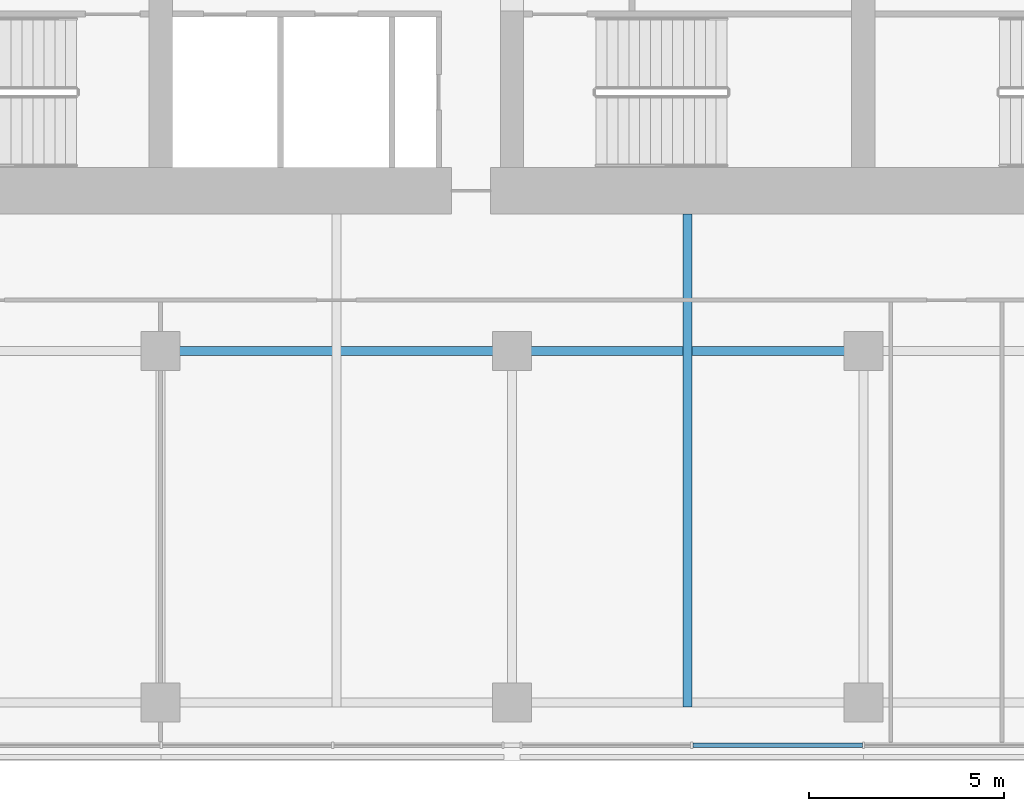
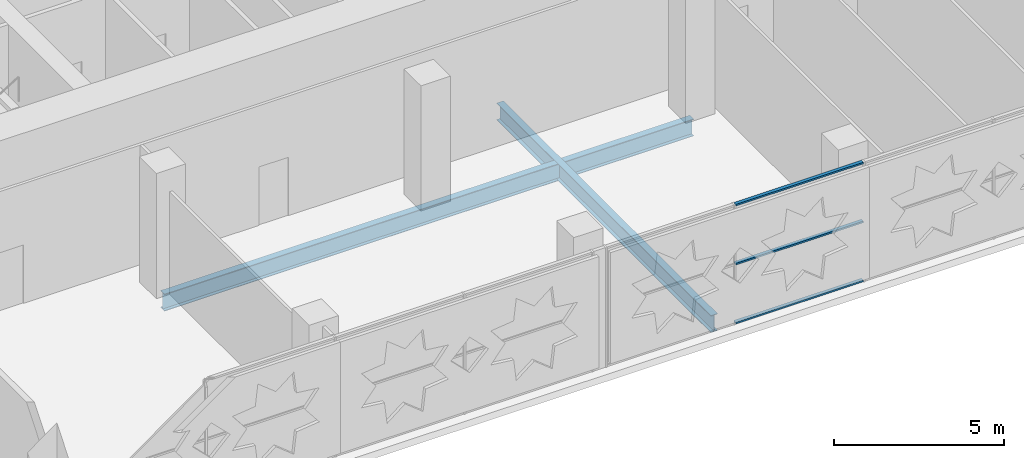
# One storey, part 3 of 24: 3 members, 2 beams, 1 element without a shape of its own.
"""IFC4 building model written with IfcOpenShell, lengths in metres."""

from ifc_helpers import new_model, si_unit, direction, frame, origin, origin_2d, place, context, subcontext, project, spatial, rectangle, i_section, extrude, material, material_profile, profile_set, type_object, element, aggregate, save


model = new_model("IFC4")

# Units and contexts
model_context = context("Model", 3, precision=1e-05, world=origin(), true_north=direction((0.0, 1.0)))
body_context = subcontext(model_context, "Body", "Model", "MODEL_VIEW")
ifc_project = project(units=[si_unit("LENGTHUNIT", "METRE"), si_unit("AREAUNIT", "SQUARE_METRE"), si_unit("VOLUMEUNIT", "CUBIC_METRE"), si_unit("PLANEANGLEUNIT", "RADIAN"), si_unit("MASSUNIT", "GRAM", prefix="KILO")], contexts=[model_context])

# Site, building, storey
site_placement = place(None, origin())
site = spatial("IfcSite", under=ifc_project, at=site_placement, CompositionType="ELEMENT")
building_placement = place(site_placement, origin())
building = spatial("IfcBuilding", under=site, at=building_placement, Name="Zellij Exchange Tower", CompositionType="ELEMENT")
storey_placement = place(building_placement, frame((0.0, 0.0, 48.0)))
storey = spatial("IfcBuildingStorey", under=building, at=storey_placement, Name="L08", CompositionType="ELEMENT", Elevation=48.0)

# Curtain wall, members
ifc_material_1 = material(Name="Aluminium frame, clear insulating glass", Category="aluminium")
curtain_wall_type = type_object("IfcCurtainWallType", Name="ENV-CW1 Sky-garden glazing", PredefinedType="NOTDEFINED", material=ifc_material_1)
curtain_wall_placement = place(storey_placement, origin())
curtain_wall = element("IfcCurtainWall", 1, at=curtain_wall_placement, inside=storey, type_object=curtain_wall_type, Name="cw.L08.00b", PredefinedType="NOTDEFINED")
ifc_material_2 = material(Name="Aluminium", Category="aluminium")
ifc_material_profile_1 = material_profile(ifc_material_2, rectangle(XDim=0.1201171875, YDim=0.06005859375, at=origin_2d()), Name="AL 120x60")
ifc_profile_set_1 = profile_set([ifc_material_profile_1], Name="Aluminium")
member_type = type_object("IfcMemberType", Name="ENV-CW1T Transom 120x60", PredefinedType="USERDEFINED", material=ifc_profile_set_1)
member_1_placement = place(storey_placement, frame((-4.3701171875, -27.60009765625, 0.030029296875), z_axis=(1.0, 0.0, 0.0), x_axis=(0.0, 1.0, 0.0)))
member_1 = element("IfcMember", 2, at=member_1_placement, type_object=member_type, Name="CW1 transom 2.1", ObjectType="TRANSOM", PredefinedType="USERDEFINED", context=body_context, shape_type="SweptSolid", body=[
    extrude(rectangle(XDim=0.1201171875, YDim=0.06005859375, at=origin_2d()), origin(), (0.0, 0.0, 1.0), 4.340087890625),
])
member_2_placement = place(storey_placement, frame((-4.3701171875, -27.60009765625, 2.14990234375), z_axis=(1.0, 0.0, 0.0), x_axis=(0.0, 1.0, 0.0)))
member_2 = element("IfcMember", 3, at=member_2_placement, type_object=member_type, Name="CW1 transom 2.2", ObjectType="TRANSOM", PredefinedType="USERDEFINED", context=body_context, shape_type="SweptSolid", body=[
    extrude(rectangle(XDim=0.1201171875, YDim=0.06005859375, at=origin_2d()), origin(), (0.0, 0.0, 1.0), 4.340087890625),
])
member_3_placement = place(storey_placement, frame((-4.3701171875, -27.60009765625, 4.27001953125), z_axis=(1.0, 0.0, 0.0), x_axis=(0.0, 1.0, 0.0)))
member_3 = element("IfcMember", 4, at=member_3_placement, type_object=member_type, Name="CW1 transom 2.3", ObjectType="TRANSOM", PredefinedType="USERDEFINED", context=body_context, shape_type="SweptSolid", body=[
    extrude(rectangle(XDim=0.1201171875, YDim=0.06005859375, at=origin_2d()), origin(), (0.0, 0.0, 1.0), 4.340087890625),
])
aggregate(curtain_wall, [member_1, member_2, member_3])

# Beams
ifc_material_3 = material(Name="Structural steel ASTM A992 Gr 50", Category="steel")
ifc_material_profile_2 = material_profile(ifc_material_3, i_section(OverallWidth=0.22900390625, OverallDepth=0.612060546875, WebThickness=0.011962890625, FlangeThickness=0.01953125, at=origin_2d()), Name="W24x84")
ifc_profile_set_2 = profile_set([ifc_material_profile_2], Name="Structural steel ASTM A992 Gr 50")
beam_type_1 = type_object("IfcBeamType", Name="STR-BEAM W24x84", PredefinedType="BEAM", material=ifc_profile_set_2)
beam_1_placement = place(storey_placement, frame((-4.5, -26.614501953125, -0.55615234375), z_axis=(0.0, 1.0, 0.0), x_axis=(-1.0, 0.0, 0.0)))
element("IfcBeam", 5, at=beam_1_placement, inside=storey, type_object=beam_type_1, Name="B6", PredefinedType="BEAM", context=body_context, shape_type="SweptSolid", body=[
    extrude(i_section(OverallWidth=0.22900390625, OverallDepth=0.612060546875, WebThickness=0.011962890625, FlangeThickness=0.01953125, at=origin_2d()), origin(), (0.0, 0.0, 1.0), 12.614501953125),
])
ifc_material_profile_3 = material_profile(ifc_material_3, i_section(OverallWidth=0.22900390625, OverallDepth=0.612060546875, WebThickness=0.011962890625, FlangeThickness=0.01953125, at=origin_2d()), Name="W24x84")
ifc_profile_set_3 = profile_set([ifc_material_profile_3], Name="Structural steel ASTM A992 Gr 50")
beam_type_2 = type_object("IfcBeamType", Name="STR-GIRDER W24x84", PredefinedType="BEAM", material=ifc_profile_set_3)
beam_2_placement = place(storey_placement, frame((-18.0, -17.5, -0.55615234375), z_axis=(1.0, 0.0, 0.0), x_axis=(0.0, 1.0, 0.0)))
element("IfcBeam", 6, at=beam_2_placement, inside=storey, type_object=beam_type_2, Name="G4", PredefinedType="BEAM", context=body_context, shape_type="SweptSolid", body=[
    extrude(i_section(OverallWidth=0.22900390625, OverallDepth=0.612060546875, WebThickness=0.011962890625, FlangeThickness=0.01953125, at=origin_2d()), origin(), (0.0, 0.0, 1.0), 18.0),
])

save(model, "model.ifc")
